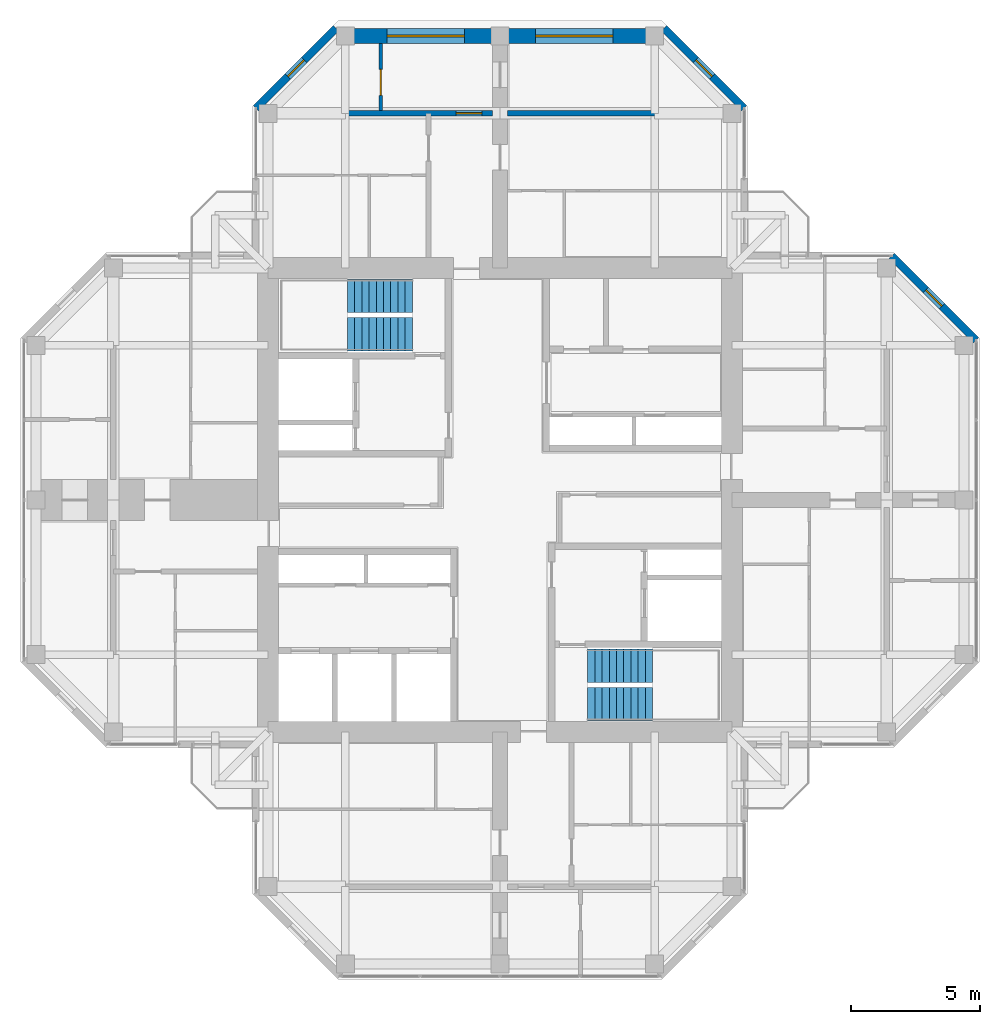
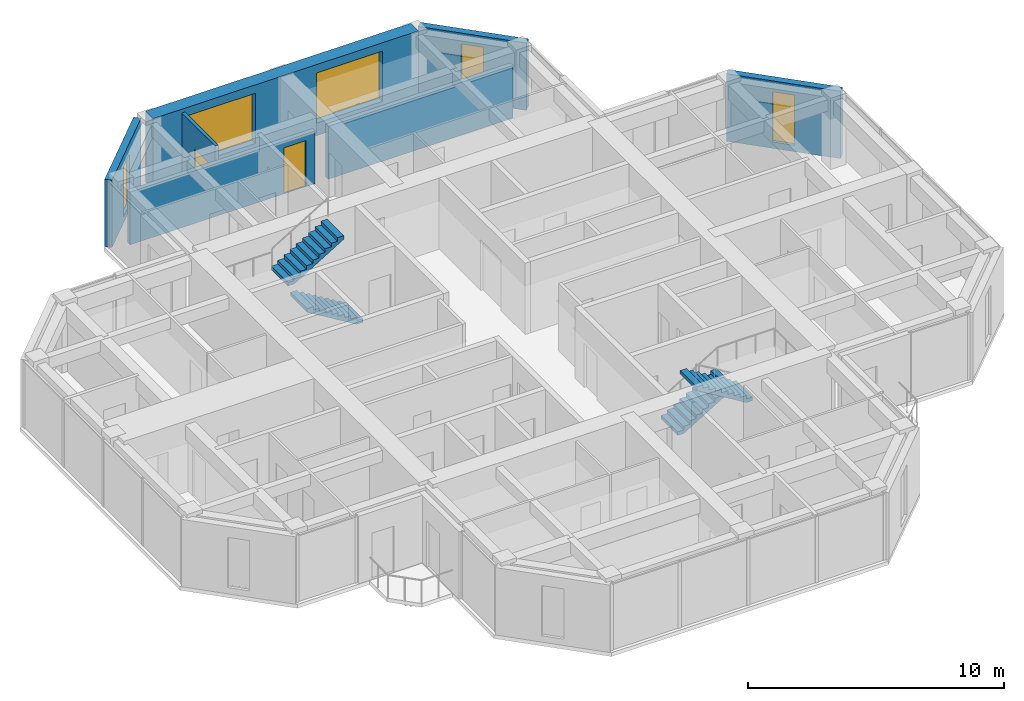
# One storey, part 12 of 13: 7 walls, 5 windows, 4 stair flights, 2 doors, 7 openings, 2 elements without a shape of their own.
"""IFC4 building model written with IfcOpenShell, lengths in metres."""

from ifc_helpers import new_model, si_unit, direction, frame, frame_2d, origin, place, context, subcontext, project, spatial, polyline, rectangle, hollow_rectangle, outline, extrude, material, layer, layer_set, constituent, constituent_set, type_object, element, fill, aggregate, save


model = new_model("IFC4")

# Units and contexts
model_context = context("Model", 3, precision=1e-05, world=origin(), true_north=direction((0.0, 1.0)))
body_context = subcontext(model_context, "Body", "Model", "MODEL_VIEW")
ifc_project = project(units=[si_unit("LENGTHUNIT", "METRE"), si_unit("AREAUNIT", "SQUARE_METRE"), si_unit("VOLUMEUNIT", "CUBIC_METRE"), si_unit("PLANEANGLEUNIT", "RADIAN"), si_unit("MASSUNIT", "GRAM", prefix="KILO")], contexts=[model_context])

# Site, building, storey
site_placement = place(None, origin())
site = spatial("IfcSite", under=ifc_project, at=site_placement, CompositionType="ELEMENT")
building_placement = place(site_placement, origin())
building = spatial("IfcBuilding", under=site, at=building_placement, Name="Torre Cruceta", CompositionType="ELEMENT")
storey_placement = place(building_placement, frame((0.0, 0.0, 261.10009765625)))
storey = spatial("IfcBuildingStorey", under=building, at=storey_placement, Name="L67", CompositionType="ELEMENT", Elevation=261.10009765625)

# Wall, opening, window
ifc_material_1 = material(Name="Concrete G30 (fck 30 MPa)", Category="concrete")
ifc_layer_1 = layer(ifc_material_1, 0.300048828125)
ifc_layer_set_1 = layer_set([ifc_layer_1], Name="Concrete G30 (fck 30 MPa)")
wall_type_1 = type_object("IfcWallType", Name="EXPOSED CONCRETE FACADE WALL 300", PredefinedType="SOLIDWALL", material=ifc_layer_set_1)
wall_1_placement = place(storey_placement, frame((18.469970703125, 6.194580078125, 0.0), z_axis=(0.0, 0.0, 1.0), x_axis=(-0.707106781187, 0.707106781187, 0.0)))
wall_1 = element("IfcWall", 1, at=wall_1_placement, inside=storey, type_object=wall_type_1, Name="EW1 facade wall L67 E chamfer 03", PredefinedType="SOLIDWALL", context=body_context, shape_type="SweptSolid", body=[
    extrude(rectangle(XDim=4.632080078125, YDim=0.300048828125, at=frame_2d((2.31591796875, 0.0))), origin(), (0.0, 0.0, 1.0), 3.219970703125),
])
opening_1_placement = place(wall_1_placement, frame((1.865966796875, 0.0, 0.300048828125)))
opening_1 = element("IfcOpeningElement", 2, at=opening_1_placement, cuts=wall_1, Name="Opening WN5", PredefinedType="OPENING", context=body_context, shape_type="SweptSolid", body=[
    extrude(rectangle(XDim=0.89990234375, YDim=2.39990234375, at=frame_2d((0.449951171875, 1.199951171875))), frame((0.0, 0.159912109375, 0.0), z_axis=(0.0, -1.0, 0.0), x_axis=(1.0, 0.0, 0.0)), (0.0, 0.0, 1.0), 0.320068359375),
])
ifc_material_2 = material(Name="Aluminium window frame", Category="aluminium")
ifc_constituent_1 = constituent(ifc_material_2, Name="Frame")
ifc_material_3 = material(Name="Laminated insulating glass unit, low-iron clear", Category="glass")
ifc_constituent_2 = constituent(ifc_material_3, Name="Glazing")
ifc_constituent_set_1 = constituent_set(constituents=[ifc_constituent_1, ifc_constituent_2], Name="Aluminium window")
window_type_1 = type_object("IfcWindowType", Name="CHAMFER SLOT WINDOW 900X2400", PartitioningType="SINGLE_PANEL", PredefinedType="WINDOW", material=ifc_constituent_set_1)
window_1_placement = place(opening_1_placement, origin())
window_1 = element("IfcWindow", 3, at=window_1_placement, inside=storey, type_object=window_type_1, Name="WN5 L67 E 1", OverallHeight=2.39990234375, OverallWidth=0.89990234375, PartitioningType="SINGLE_PANEL", PredefinedType="WINDOW", context=body_context, shape_type="SweptSolid", body=[
    extrude(hollow_rectangle(XDim=0.89990234375, YDim=2.39990234375, WallThickness=0.06005859375, at=frame_2d((0.449951171875, 1.199951171875))), frame((0.0, 0.030029296875, 0.0), z_axis=(0.0, -1.0, 0.0), x_axis=(1.0, 0.0, 0.0)), (0.0, 0.0, 1.0), 0.06005859375),
    extrude(rectangle(XDim=0.77880859375, YDim=2.27880859375, at=frame_2d((0.449951171875, 1.199951171875))), frame((0.0, 0.030029296875, 0.0), z_axis=(0.0, -1.0, 0.0), x_axis=(1.0, 0.0, 0.0)), (0.0, 0.0, 1.0), 0.06005859375),
])
fill(opening_1, window_1)

wall_2_placement = place(storey_placement, frame((9.469970703125, 15.194580078125, 0.0), z_axis=(0.0, 0.0, 1.0), x_axis=(-0.70707898447, 0.707134576811, 0.0)))
wall_2 = element("IfcWall", 4, at=wall_2_placement, inside=storey, type_object=wall_type_1, Name="EW1 facade wall L67 N chamfer 06", PredefinedType="SOLIDWALL", context=body_context, shape_type="SweptSolid", body=[
    extrude(rectangle(XDim=4.3916015625, YDim=0.300048828125, at=frame_2d((2.19580078125, 0.0))), origin(), (0.0, 0.0, 1.0), 3.219970703125),
])
opening_2_placement = place(wall_2_placement, frame((1.745849609375, 0.0, 0.300048828125)))
opening_2 = element("IfcOpeningElement", 5, at=opening_2_placement, cuts=wall_2, Name="Opening WN5", PredefinedType="OPENING", context=body_context, shape_type="SweptSolid", body=[
    extrude(rectangle(XDim=0.89990234375, YDim=2.39990234375, at=frame_2d((0.449951171875, 1.199951171875))), frame((0.0, 0.159912109375, 0.0), z_axis=(0.0, -1.0, 0.0), x_axis=(1.0, 0.0, 0.0)), (0.0, 0.0, 1.0), 0.320068359375),
])
window_2_placement = place(opening_2_placement, origin())
window_2 = element("IfcWindow", 6, at=window_2_placement, inside=storey, type_object=window_type_1, Name="WN5 L67 N 1", OverallHeight=2.39990234375, OverallWidth=0.89990234375, PartitioningType="SINGLE_PANEL", PredefinedType="WINDOW", context=body_context, shape_type="SweptSolid", body=[
    extrude(hollow_rectangle(XDim=0.89990234375, YDim=2.39990234375, WallThickness=0.06005859375, at=frame_2d((0.449951171875, 1.199951171875))), frame((0.0, 0.030029296875, 0.0), z_axis=(0.0, -1.0, 0.0), x_axis=(1.0, 0.0, 0.0)), (0.0, 0.0, 1.0), 0.06005859375),
    extrude(rectangle(XDim=0.77880859375, YDim=2.27880859375, at=frame_2d((0.449951171875, 1.199951171875))), frame((0.0, 0.030029296875, 0.0), z_axis=(0.0, -1.0, 0.0), x_axis=(1.0, 0.0, 0.0)), (0.0, 0.0, 1.0), 0.06005859375),
])
fill(opening_2, window_2)

wall_3_placement = place(storey_placement, frame((-6.36474609375, 18.300048828125, 0.0), z_axis=(0.0, 0.0, 1.0), x_axis=(-0.70707898447, -0.707134576811, 0.0)))
wall_3 = element("IfcWall", 7, at=wall_3_placement, inside=storey, type_object=wall_type_1, Name="EW1 facade wall L67 N chamfer 08", PredefinedType="SOLIDWALL", context=body_context, shape_type="SweptSolid", body=[
    extrude(rectangle(XDim=4.3916015625, YDim=0.300048828125, at=frame_2d((2.19580078125, 0.0))), origin(), (0.0, 0.0, 1.0), 3.219970703125),
])
opening_3_placement = place(wall_3_placement, frame((1.745849609375, 0.0, 0.300048828125)))
opening_3 = element("IfcOpeningElement", 8, at=opening_3_placement, cuts=wall_3, Name="Opening WN5", PredefinedType="OPENING", context=body_context, shape_type="SweptSolid", body=[
    extrude(rectangle(XDim=0.89990234375, YDim=2.39990234375, at=frame_2d((0.449951171875, 1.199951171875))), frame((0.0, 0.159912109375, 0.0), z_axis=(0.0, -1.0, 0.0), x_axis=(1.0, 0.0, 0.0)), (0.0, 0.0, 1.0), 0.320068359375),
])
window_3_placement = place(opening_3_placement, origin())
window_3 = element("IfcWindow", 9, at=window_3_placement, inside=storey, type_object=window_type_1, Name="WN5 L67 N 1", OverallHeight=2.39990234375, OverallWidth=0.89990234375, PartitioningType="SINGLE_PANEL", PredefinedType="WINDOW", context=body_context, shape_type="SweptSolid", body=[
    extrude(hollow_rectangle(XDim=0.89990234375, YDim=2.39990234375, WallThickness=0.06005859375, at=frame_2d((0.449951171875, 1.199951171875))), frame((0.0, 0.030029296875, 0.0), z_axis=(0.0, -1.0, 0.0), x_axis=(1.0, 0.0, 0.0)), (0.0, 0.0, 1.0), 0.06005859375),
    extrude(rectangle(XDim=0.77880859375, YDim=2.27880859375, at=frame_2d((0.449951171875, 1.199951171875))), frame((0.0, 0.030029296875, 0.0), z_axis=(0.0, -1.0, 0.0), x_axis=(1.0, 0.0, 0.0)), (0.0, 0.0, 1.0), 0.06005859375),
])
fill(opening_3, window_3)

# Wall, openings, windows
ifc_material_4 = material(Name="Concrete G60 (fck 60 MPa)", Category="concrete")
ifc_layer_2 = layer(ifc_material_4, 0.60009765625)
ifc_layer_set_2 = layer_set([ifc_layer_2], Name="Concrete G60 (fck 60 MPa)")
wall_type_2 = type_object("IfcWallType", Name="NOSE WALL 600 G60", PredefinedType="SHEAR", material=ifc_layer_set_2)
wall_4_placement = place(storey_placement, frame((6.0, 18.0, 0.0), z_axis=(0.0, 0.0, 1.0), x_axis=(-1.0, 0.0, 0.0)))
wall_4 = element("IfcWall", 10, at=wall_4_placement, inside=storey, type_object=wall_type_2, Name="NW3 nose wall L67 N", PredefinedType="SHEAR", context=body_context, shape_type="SweptSolid", body=[
    extrude(rectangle(XDim=12.0, YDim=0.60009765625, at=frame_2d((6.0, 0.0))), origin(), (0.0, 0.0, 1.0), 3.39990234375),
])
opening_4_placement = place(wall_4_placement, frame((1.625, 0.0, 0.60009765625)))
opening_4 = element("IfcOpeningElement", 11, at=opening_4_placement, cuts=wall_4, Name="Opening WN6", PredefinedType="OPENING", context=body_context, shape_type="SweptSolid", body=[
    extrude(rectangle(XDim=3.0, YDim=2.39990234375, at=frame_2d((1.5, 1.199951171875))), frame((0.0, 0.31005859375, 0.0), z_axis=(0.0, -1.0, 0.0), x_axis=(1.0, 0.0, 0.0)), (0.0, 0.0, 1.0), 0.6201171875),
])
opening_5_placement = place(wall_4_placement, frame((7.375, 0.0, 0.60009765625)))
opening_5 = element("IfcOpeningElement", 12, at=opening_5_placement, cuts=wall_4, Name="Opening WN6", PredefinedType="OPENING", context=body_context, shape_type="SweptSolid", body=[
    extrude(rectangle(XDim=3.0, YDim=2.39990234375, at=frame_2d((1.5, 1.199951171875))), frame((0.0, 0.31005859375, 0.0), z_axis=(0.0, -1.0, 0.0), x_axis=(1.0, 0.0, 0.0)), (0.0, 0.0, 1.0), 0.6201171875),
])
ifc_material_5 = material(Name="Aluminium window frame", Category="aluminium")
ifc_constituent_3 = constituent(ifc_material_5, Name="Frame")
ifc_material_6 = material(Name="Laminated insulating glass unit, low-iron clear", Category="glass")
ifc_constituent_4 = constituent(ifc_material_6, Name="Glazing")
ifc_constituent_set_2 = constituent_set(constituents=[ifc_constituent_3, ifc_constituent_4], Name="Aluminium window")
window_type_2 = type_object("IfcWindowType", Name="NOSE WALL WINDOW 3000X2400", PartitioningType="SINGLE_PANEL", PredefinedType="WINDOW", material=ifc_constituent_set_2)
window_4_placement = place(opening_4_placement, origin())
window_4 = element("IfcWindow", 13, at=window_4_placement, inside=storey, type_object=window_type_2, Name="WN6 L67 N 1", OverallHeight=2.39990234375, OverallWidth=3.0, PartitioningType="SINGLE_PANEL", PredefinedType="WINDOW", context=body_context, shape_type="SweptSolid", body=[
    extrude(hollow_rectangle(XDim=3.0, YDim=2.39990234375, WallThickness=0.06005859375, at=frame_2d((1.5, 1.199951171875))), frame((0.0, 0.030029296875, 0.0), z_axis=(0.0, -1.0, 0.0), x_axis=(1.0, 0.0, 0.0)), (0.0, 0.0, 1.0), 0.06005859375),
    extrude(rectangle(XDim=2.87890625, YDim=2.27880859375, at=frame_2d((1.5, 1.199951171875))), frame((0.0, 0.030029296875, 0.0), z_axis=(0.0, -1.0, 0.0), x_axis=(1.0, 0.0, 0.0)), (0.0, 0.0, 1.0), 0.06005859375),
])
fill(opening_4, window_4)
window_5_placement = place(opening_5_placement, origin())
window_5 = element("IfcWindow", 14, at=window_5_placement, inside=storey, type_object=window_type_2, Name="WN6 L67 N 2", OverallHeight=2.39990234375, OverallWidth=3.0, PartitioningType="SINGLE_PANEL", PredefinedType="WINDOW", context=body_context, shape_type="SweptSolid", body=[
    extrude(hollow_rectangle(XDim=3.0, YDim=2.39990234375, WallThickness=0.06005859375, at=frame_2d((1.5, 1.199951171875))), frame((0.0, 0.030029296875, 0.0), z_axis=(0.0, -1.0, 0.0), x_axis=(1.0, 0.0, 0.0)), (0.0, 0.0, 1.0), 0.06005859375),
    extrude(rectangle(XDim=2.87890625, YDim=2.27880859375, at=frame_2d((1.5, 1.199951171875))), frame((0.0, 0.030029296875, 0.0), z_axis=(0.0, -1.0, 0.0), x_axis=(1.0, 0.0, 0.0)), (0.0, 0.0, 1.0), 0.06005859375),
])
fill(opening_5, window_5)

# Wall, opening, door
ifc_material_7 = material(Name="Plasterboard on steel studs", Category="steel")
ifc_layer_3 = layer(ifc_material_7, 0.14990234375)
ifc_layer_set_3 = layer_set([ifc_layer_3], Name="Plasterboard on steel studs")
wall_type_3 = type_object("IfcWallType", Name="PARTITION 150", PredefinedType="PARTITIONING", material=ifc_layer_set_3)
wall_5_placement = place(storey_placement, frame((-4.625, 15.10009765625, 0.0), z_axis=(0.0, 0.0, 1.0), x_axis=(0.0, 1.0, 0.0)))
wall_5 = element("IfcWall", 15, at=wall_5_placement, inside=storey, type_object=wall_type_3, Name="PT1 L67-N-ENDX", PredefinedType="PARTITIONING", context=body_context, shape_type="SweptSolid", body=[
    extrude(rectangle(XDim=2.599853515625, YDim=0.14990234375, at=frame_2d((1.2998046875, 0.0))), origin(), (0.0, 0.0, 1.0), 3.219970703125),
])
opening_6_placement = place(wall_5_placement, frame((0.60009765625, 0.0, 0.0)))
opening_6 = element("IfcOpeningElement", 16, at=opening_6_placement, cuts=wall_5, Name="Opening D3", PredefinedType="OPENING", context=body_context, shape_type="SweptSolid", body=[
    extrude(rectangle(XDim=1.0, YDim=2.10009765625, at=frame_2d((0.5, 1.050048828125))), frame((0.0, 0.0849609375, 0.0), z_axis=(0.0, -1.0, 0.0), x_axis=(1.0, 0.0, 0.0)), (0.0, 0.0, 1.0), 0.169921875),
])
ifc_material_8 = material(Name="Steel DX51D", Category="steel")
ifc_constituent_5 = constituent(ifc_material_8, Name="Leaf and frame")
ifc_material_9 = material(Name="Polyester powder coating", Category="paint")
ifc_constituent_6 = constituent(ifc_material_9, Name="Finish")
ifc_constituent_set_3 = constituent_set(constituents=[ifc_constituent_5, ifc_constituent_6], Name="Steel fire door")
door_type_1 = type_object("IfcDoorType", Name="FIRE DOOR 1000X2100", OperationType="SINGLE_SWING_LEFT", PredefinedType="DOOR", material=ifc_constituent_set_3)
door_1_placement = place(opening_6_placement, origin())
door_1 = element("IfcDoor", 17, at=door_1_placement, inside=storey, type_object=door_type_1, Name="D3 L67-N-ENDX-D1", OperationType="SINGLE_SWING_LEFT", OverallHeight=2.10009765625, OverallWidth=1.0, PredefinedType="DOOR", context=body_context, shape_type="SweptSolid", body=[
    extrude(rectangle(XDim=1.0, YDim=2.10009765625, at=frame_2d((0.5, 1.050048828125))), frame((0.0, 0.02490234375, 0.0), z_axis=(0.0, -1.0, 0.0), x_axis=(1.0, 0.0, 0.0)), (0.0, 0.0, 1.0), 0.050048828125),
])
fill(opening_6, door_1)

# Wall
ifc_material_10 = material(Name="Concrete G25 (fck 25 MPa)", Category="concrete")
ifc_layer_4 = layer(ifc_material_10, 0.199951171875)
ifc_layer_set_4 = layer_set([ifc_layer_4], Name="Concrete G25 (fck 25 MPa)")
wall_type_4 = type_object("IfcWallType", Name="UNIT SEPARATING WALL 200", PredefinedType="SOLIDWALL", material=ifc_layer_set_4)
wall_6_placement = place(storey_placement, frame((8.64990234375, 15.0, 0.0), z_axis=(0.0, 0.0, 1.0), x_axis=(-1.0, 0.0, 0.0)))
element("IfcWall", 18, at=wall_6_placement, inside=storey, type_object=wall_type_4, Name="PT2 L67-N-ENDa", PredefinedType="SOLIDWALL", context=body_context, shape_type="SweptSolid", body=[
    extrude(rectangle(XDim=8.349853515625, YDim=0.199951171875, at=frame_2d((4.1748046875, 0.0))), origin(), (0.0, 0.0, 1.0), 2.52001953125),
])

# Wall, opening, door
wall_7_placement = place(storey_placement, frame((-0.300048828125, 15.0, 0.0), z_axis=(0.0, 0.0, 1.0), x_axis=(-1.0, 0.0, 0.0)))
wall_7 = element("IfcWall", 19, at=wall_7_placement, inside=storey, type_object=wall_type_4, Name="PT2 L67-N-ENDb", PredefinedType="SOLIDWALL", context=body_context, shape_type="SweptSolid", body=[
    extrude(rectangle(XDim=8.349853515625, YDim=0.199951171875, at=frame_2d((4.1748046875, 0.0))), origin(), (0.0, 0.0, 1.0), 2.52001953125),
])
opening_7_placement = place(wall_7_placement, frame((0.39990234375, 0.0, 0.0)))
opening_7 = element("IfcOpeningElement", 20, at=opening_7_placement, cuts=wall_7, Name="Opening D14", PredefinedType="OPENING", context=body_context, shape_type="SweptSolid", body=[
    extrude(rectangle(XDim=1.0, YDim=2.199951171875, at=frame_2d((0.5, 1.10009765625))), frame((0.0, 0.10986328125, 0.0), z_axis=(0.0, -1.0, 0.0), x_axis=(1.0, 0.0, 0.0)), (0.0, 0.0, 1.0), 0.219970703125),
])
ifc_material_11 = material(Name="Steel DX51D", Category="steel")
ifc_constituent_7 = constituent(ifc_material_11, Name="Leaf and frame")
ifc_material_12 = material(Name="Polyester powder coating", Category="paint")
ifc_constituent_8 = constituent(ifc_material_12, Name="Finish")
ifc_material_13 = material(Name="Fire-resisting glass", Category="glass")
ifc_constituent_9 = constituent(ifc_material_13, Name="Vision panel")
ifc_constituent_set_4 = constituent_set(constituents=[ifc_constituent_7, ifc_constituent_8, ifc_constituent_9], Name="Steel fire door with vision panel")
door_type_2 = type_object("IfcDoorType", Name="FIRE DOOR VISION PANEL 1000X2200", OperationType="SINGLE_SWING_RIGHT", PredefinedType="DOOR", material=ifc_constituent_set_4)
door_2_placement = place(opening_7_placement, frame((1.0, 0.0, 0.0), z_axis=(0.0, 0.0, 1.0), x_axis=(-1.0, 0.0, 0.0)))
door_2 = element("IfcDoor", 21, at=door_2_placement, inside=storey, type_object=door_type_2, Name="D14 L67-N-ENDb-D1", OperationType="SINGLE_SWING_RIGHT", OverallHeight=2.199951171875, OverallWidth=1.0, PredefinedType="DOOR", context=body_context, shape_type="SweptSolid", body=[
    extrude(rectangle(XDim=1.0, YDim=2.199951171875, at=frame_2d((0.5, 1.10009765625))), frame((0.0, 0.025146484375, 0.0), z_axis=(0.0, -1.0, 0.0), x_axis=(1.0, 0.0, 0.0)), (0.0, 0.0, 1.0), 0.050048828125),
])
fill(opening_7, door_2)

# Stair, stair flights
ifc_material_14 = material(Name="Concrete G30 (fck 30 MPa)", Category="concrete")
stair_type = type_object("IfcStairType", Name="STAIR HALF-TURN 1300", PredefinedType="HALF_TURN_STAIR", material=ifc_material_14)
stair_1_placement = place(storey_placement, origin())
stair_1 = element("IfcStair", 22, at=stair_1_placement, inside=storey, type_object=stair_type, Name="Stair ST1 L67", PredefinedType="HALF_TURN_STAIR")
ifc_material_15 = material(Name="Concrete G30 (fck 30 MPa)", Category="concrete")
stair_flight_type = type_object("IfcStairFlightType", Name="STAIR FLIGHT 1300", PredefinedType="STRAIGHT", material=ifc_material_15)
stair_flight_1_placement = place(storey_placement, frame((-3.39990234375, 6.425048828125, 0.0), z_axis=(0.0, 0.0, 1.0), x_axis=(-1.0, 0.0, 0.0)))
stair_flight_1 = element("IfcStairFlight", 23, at=stair_flight_1_placement, type_object=stair_flight_type, Name="ST1 flight 1", NumberOfRisers=10, NumberOfTreads=9, PredefinedType="STRAIGHT", RiserHeight=0.17, TreadLength=0.28, context=body_context, shape_type="SweptSolid", body=[
    extrude(outline(polyline([(0.0, 0.0), (0.0, 0.169921875), (0.280029296875, 0.169921875), (0.280029296875, 0.340087890625), (0.56005859375, 0.340087890625), (0.56005859375, 0.510009765625), (0.840087890625, 0.510009765625), (0.840087890625, 0.679931640625), (1.1201171875, 0.679931640625), (1.1201171875, 0.85009765625), (1.39990234375, 0.85009765625), (1.39990234375, 1.02001953125), (1.679931640625, 1.02001953125), (1.679931640625, 1.18994140625), (1.9599609375, 1.18994140625), (1.9599609375, 1.360107421875), (2.239990234375, 1.360107421875), (2.239990234375, 1.530029296875), (2.52001953125, 1.530029296875), (2.52001953125, 1.699951171875), (2.52001953125, 1.354736328125), (0.288818359375, 0.0), (0.0, 0.0)])), frame((0.0, 0.64990234375, 0.0), z_axis=(0.0, -1.0, 0.0), x_axis=(1.0, 0.0, 0.0)), (0.0, 0.0, 1.0), 1.300048828125),
])
stair_flight_2_placement = place(storey_placement, frame((-5.919921875, 7.925048828125, 1.699951171875), z_axis=(0.0, 0.0, 1.0), x_axis=(1.0, 0.0, 0.0)))
stair_flight_2 = element("IfcStairFlight", 24, at=stair_flight_2_placement, type_object=stair_flight_type, Name="ST1 flight 2", NumberOfRisers=10, NumberOfTreads=9, PredefinedType="STRAIGHT", RiserHeight=0.17, TreadLength=0.28, context=body_context, shape_type="SweptSolid", body=[
    extrude(outline(polyline([(0.0, 0.0), (0.0, 0.169921875), (0.280029296875, 0.169921875), (0.280029296875, 0.340087890625), (0.56005859375, 0.340087890625), (0.56005859375, 0.510009765625), (0.840087890625, 0.510009765625), (0.840087890625, 0.679931640625), (1.1201171875, 0.679931640625), (1.1201171875, 0.85009765625), (1.39990234375, 0.85009765625), (1.39990234375, 1.02001953125), (1.679931640625, 1.02001953125), (1.679931640625, 1.18994140625), (1.9599609375, 1.18994140625), (1.9599609375, 1.360107421875), (2.239990234375, 1.360107421875), (2.239990234375, 1.530029296875), (2.52001953125, 1.530029296875), (2.52001953125, 1.699951171875), (2.52001953125, 1.354736328125), (0.288818359375, 0.0), (0.0, 0.0)])), frame((0.0, 0.64990234375, 0.0), z_axis=(0.0, -1.0, 0.0), x_axis=(1.0, 0.0, 0.0)), (0.0, 0.0, 1.0), 1.300048828125),
])
aggregate(stair_1, [stair_flight_1, stair_flight_2])

stair_2_placement = place(storey_placement, origin())
stair_2 = element("IfcStair", 25, at=stair_2_placement, inside=storey, type_object=stair_type, Name="Stair ST2 L67", PredefinedType="HALF_TURN_STAIR")
stair_flight_3_placement = place(storey_placement, frame((3.39990234375, -6.425048828125, 0.0), z_axis=(0.0, 0.0, 1.0), x_axis=(1.0, 0.0, 0.0)))
stair_flight_3 = element("IfcStairFlight", 26, at=stair_flight_3_placement, type_object=stair_flight_type, Name="ST2 flight 1", NumberOfRisers=10, NumberOfTreads=9, PredefinedType="STRAIGHT", RiserHeight=0.17, TreadLength=0.28, context=body_context, shape_type="SweptSolid", body=[
    extrude(outline(polyline([(0.0, 0.0), (0.0, 0.169921875), (0.280029296875, 0.169921875), (0.280029296875, 0.340087890625), (0.56005859375, 0.340087890625), (0.56005859375, 0.510009765625), (0.840087890625, 0.510009765625), (0.840087890625, 0.679931640625), (1.1201171875, 0.679931640625), (1.1201171875, 0.85009765625), (1.39990234375, 0.85009765625), (1.39990234375, 1.02001953125), (1.679931640625, 1.02001953125), (1.679931640625, 1.18994140625), (1.9599609375, 1.18994140625), (1.9599609375, 1.360107421875), (2.239990234375, 1.360107421875), (2.239990234375, 1.530029296875), (2.52001953125, 1.530029296875), (2.52001953125, 1.699951171875), (2.52001953125, 1.354736328125), (0.288818359375, 0.0), (0.0, 0.0)])), frame((0.0, 0.64990234375, 0.0), z_axis=(0.0, -1.0, 0.0), x_axis=(1.0, 0.0, 0.0)), (0.0, 0.0, 1.0), 1.300048828125),
])
stair_flight_4_placement = place(storey_placement, frame((5.919921875, -7.925048828125, 1.699951171875), z_axis=(0.0, 0.0, 1.0), x_axis=(-1.0, 0.0, 0.0)))
stair_flight_4 = element("IfcStairFlight", 27, at=stair_flight_4_placement, type_object=stair_flight_type, Name="ST2 flight 2", NumberOfRisers=10, NumberOfTreads=9, PredefinedType="STRAIGHT", RiserHeight=0.17, TreadLength=0.28, context=body_context, shape_type="SweptSolid", body=[
    extrude(outline(polyline([(0.0, 0.0), (0.0, 0.169921875), (0.280029296875, 0.169921875), (0.280029296875, 0.340087890625), (0.56005859375, 0.340087890625), (0.56005859375, 0.510009765625), (0.840087890625, 0.510009765625), (0.840087890625, 0.679931640625), (1.1201171875, 0.679931640625), (1.1201171875, 0.85009765625), (1.39990234375, 0.85009765625), (1.39990234375, 1.02001953125), (1.679931640625, 1.02001953125), (1.679931640625, 1.18994140625), (1.9599609375, 1.18994140625), (1.9599609375, 1.360107421875), (2.239990234375, 1.360107421875), (2.239990234375, 1.530029296875), (2.52001953125, 1.530029296875), (2.52001953125, 1.699951171875), (2.52001953125, 1.354736328125), (0.288818359375, 0.0), (0.0, 0.0)])), frame((0.0, 0.64990234375, 0.0), z_axis=(0.0, -1.0, 0.0), x_axis=(1.0, 0.0, 0.0)), (0.0, 0.0, 1.0), 1.300048828125),
])
aggregate(stair_2, [stair_flight_3, stair_flight_4])

save(model, "model.ifc")
